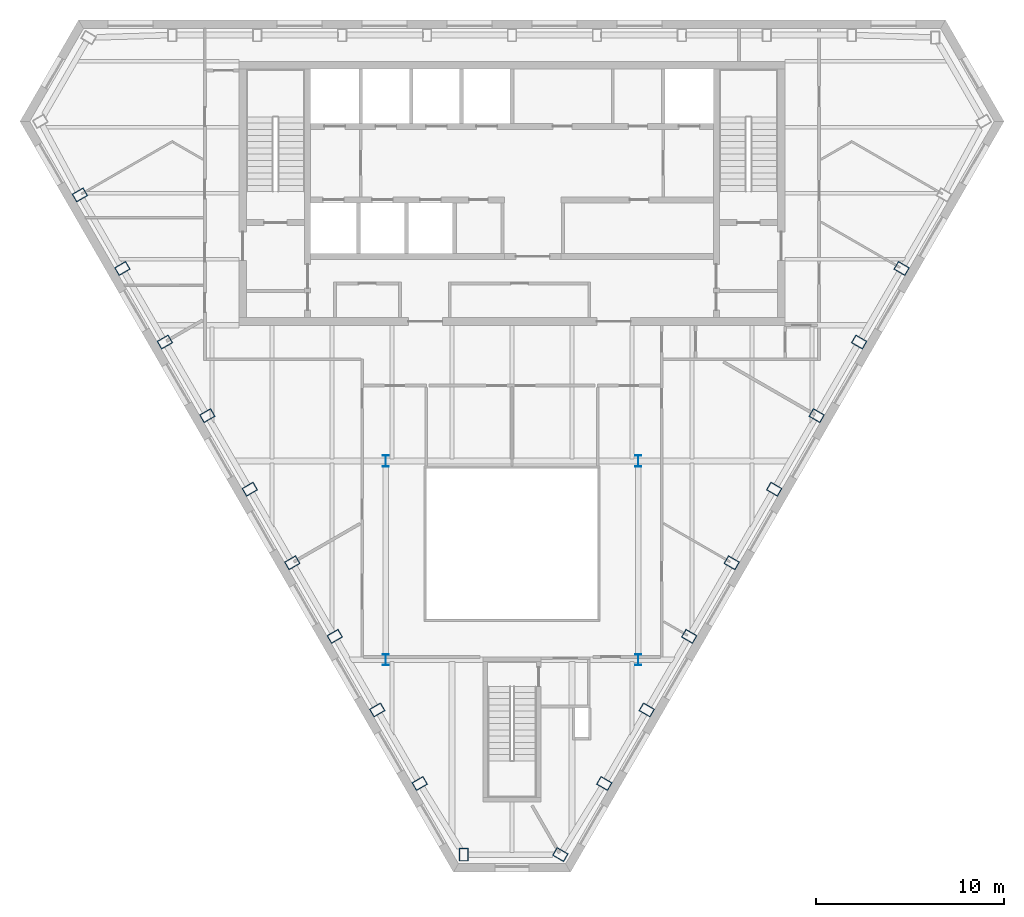
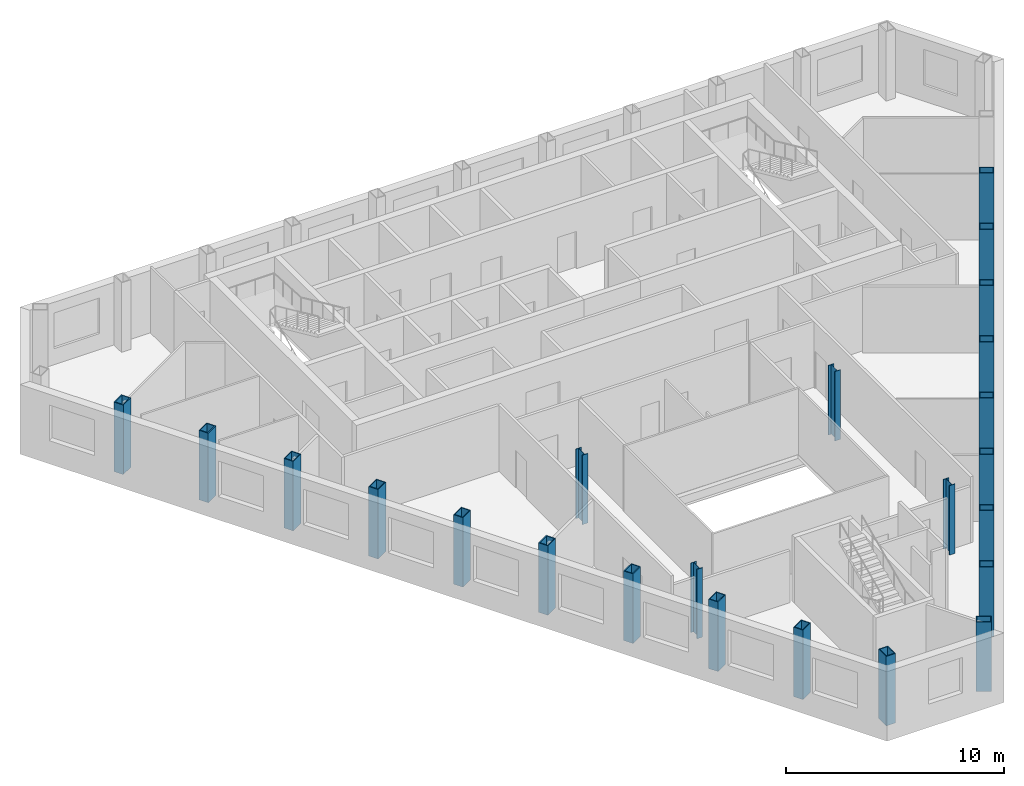
# One storey, part 1 of 10: 23 columns.
"""IFC4 building model written with IfcOpenShell, lengths in metres."""

from ifc_helpers import new_model, si_unit, direction, frame, origin, origin_2d, place, context, subcontext, project, spatial, hollow_rectangle, i_section, extrude, material, material_profile, profile_set, type_object, element, save


model = new_model("IFC4")

# Units and contexts
model_context = context("Model", 3, precision=1e-05, world=origin(), true_north=direction((0.0, 1.0)))
body_context = subcontext(model_context, "Body", "Model", "MODEL_VIEW")
ifc_project = project(units=[si_unit("LENGTHUNIT", "METRE"), si_unit("AREAUNIT", "SQUARE_METRE"), si_unit("VOLUMEUNIT", "CUBIC_METRE"), si_unit("PLANEANGLEUNIT", "RADIAN"), si_unit("MASSUNIT", "GRAM", prefix="KILO")], contexts=[model_context])

# Site, building, storey
site_placement = place(None, origin())
site = spatial("IfcSite", under=ifc_project, at=site_placement, CompositionType="ELEMENT")
building_placement = place(site_placement, origin())
building = spatial("IfcBuilding", under=site, at=building_placement, Name="Njiva Tower", CompositionType="ELEMENT")
storey_placement = place(building_placement, frame((0.0, 0.0, 249.3)))
storey = spatial("IfcBuildingStorey", under=building, at=storey_placement, Name="L56", CompositionType="ELEMENT", Elevation=249.3)

# Columns
ifc_material = material(Name="Steel S355 J2", Category="steel")
ifc_material_profile_1 = material_profile(ifc_material, hollow_rectangle(XDim=0.5, YDim=0.7, WallThickness=0.045, at=origin_2d()), Name="BOX 700x500x45")
ifc_profile_set_1 = profile_set([ifc_material_profile_1], Name="Steel S355 J2")
column_type_1 = type_object("IfcColumnType", Name="C13 Perimeter tube column BOX 700x500x45", PredefinedType="COLUMN", material=ifc_profile_set_1)
for number, where, z_axis, x_axis, name in (
    (1, (-22.932, 10.917, 0.0), (0.0, 0.0, 1.0), (0.5, -0.866025403784, 0.0), "Perimeter tube column S18-C13"),
    (2, (-20.678, 7.013, 0.0), (0.0, 0.0, 1.0), (0.5, -0.866025403784, 0.0), "Perimeter tube column S18-C14"),
    (3, (-18.423, 3.108, 0.0), (0.0, 0.0, 1.0), (0.5, -0.866025403784, 0.0), "Perimeter tube column S18-C15"),
    (4, (-16.169, -0.796, 0.0), (0.0, 0.0, 1.0), (0.5, -0.866025403784, 0.0), "Perimeter tube column S18-C16"),
    (5, (-13.915, -4.701, 0.0), (0.0, 0.0, 1.0), (0.5, -0.866025403784, 0.0), "Perimeter tube column S18-C17"),
    (6, (-11.66, -8.606, 0.0), (0.0, 0.0, 1.0), (0.5, -0.866025403784, 0.0), "Perimeter tube column S18-C18"),
    (7, (-9.406, -12.51, 0.0), (0.0, 0.0, 1.0), (0.5, -0.866025403784, 0.0), "Perimeter tube column S18-C19"),
    (8, (-7.152, -16.415, 0.0), (0.0, 0.0, 1.0), (0.5, -0.866025403784, 0.0), "Perimeter tube column S18-C20"),
    (9, (-4.897, -20.319, 0.0), (0.0, 0.0, 1.0), (0.5, -0.866025403784, 0.0), "Perimeter tube column S18-C21"),
    (10, (-2.566, -24.091, 0.0), (0.0, 0.0, 1.0), (1.0, 0.0, 0.0), "Perimeter tube column S18-C22"),
    (11, (2.566, -24.091, 0.0), (0.0, 0.0, 1.0), (0.5, 0.866025403784, 0.0), "Perimeter tube column S18-C23"),
    (12, (4.897, -20.319, 0.0), (0.0, 0.0, 1.0), (0.5, 0.866025403784, 0.0), "Perimeter tube column S18-C24"),
    (13, (7.152, -16.415, 0.0), (0.0, 0.0, 1.0), (0.5, 0.866025403784, 0.0), "Perimeter tube column S18-C25"),
    (14, (9.406, -12.51, 0.0), (0.0, 0.0, 1.0), (0.5, 0.866025403784, 0.0), "Perimeter tube column S18-C26"),
    (15, (11.66, -8.606, 0.0), (0.0, 0.0, 1.0), (0.5, 0.866025403784, 0.0), "Perimeter tube column S18-C27"),
    (16, (13.915, -4.701, 0.0), (0.0, 0.0, 1.0), (0.5, 0.866025403784, 0.0), "Perimeter tube column S18-C28"),
    (17, (16.169, -0.796, 0.0), (0.0, 0.0, 1.0), (0.5, 0.866025403784, 0.0), "Perimeter tube column S18-C29"),
    (18, (18.423, 3.108, 0.0), (0.0, 0.0, 1.0), (0.5, 0.866025403784, 0.0), "Perimeter tube column S18-C30"),
    (19, (20.678, 7.013, 0.0), (0.0, 0.0, 1.0), (0.5, 0.866025403784, 0.0), "Perimeter tube column S18-C31"),
):
    element("IfcColumn", number, at=place(storey_placement, frame(where, z_axis=z_axis, x_axis=x_axis)), inside=storey, type_object=column_type_1, Name=name, PredefinedType="COLUMN", context=body_context, shape_type="SweptSolid", body=[
        extrude(hollow_rectangle(XDim=0.5, YDim=0.7, WallThickness=0.045, at=origin_2d()), origin(), (0.0, 0.0, 1.0), 3.9),
    ])
ifc_material_profile_2 = material_profile(ifc_material, i_section(OverallWidth=0.3, OverallDepth=0.6, WebThickness=0.0155, FlangeThickness=0.03, at=origin_2d()), Name="HEB 600")
ifc_profile_set_2 = profile_set([ifc_material_profile_2], Name="Steel S355 J2")
column_type_2 = type_object("IfcColumnType", Name="C14 Interior column HEB 600", PredefinedType="COLUMN", material=ifc_profile_set_2)
for number, where, z_axis, x_axis, name in (
    (20, (6.7, -3.2, 0.0), (0.0, 0.0, 1.0), (1.0, 0.0, 0.0), "Interior column S18-C34"),
    (21, (-6.7, -3.2, 0.0), (0.0, 0.0, 1.0), (1.0, 0.0, 0.0), "Interior column S18-C35"),
    (22, (6.7, -13.75, 0.0), (0.0, 0.0, 1.0), (1.0, 0.0, 0.0), "Interior column S18-C36"),
    (23, (-6.7, -13.75, 0.0), (0.0, 0.0, 1.0), (1.0, 0.0, 0.0), "Interior column S18-C37"),
):
    element("IfcColumn", number, at=place(storey_placement, frame(where, z_axis=z_axis, x_axis=x_axis)), inside=storey, type_object=column_type_2, Name=name, PredefinedType="COLUMN", context=body_context, shape_type="SweptSolid", body=[
        extrude(i_section(OverallWidth=0.3, OverallDepth=0.6, WebThickness=0.0155, FlangeThickness=0.03, at=origin_2d()), origin(), (0.0, 0.0, 1.0), 3.9),
    ])

save(model, "model.ifc")
